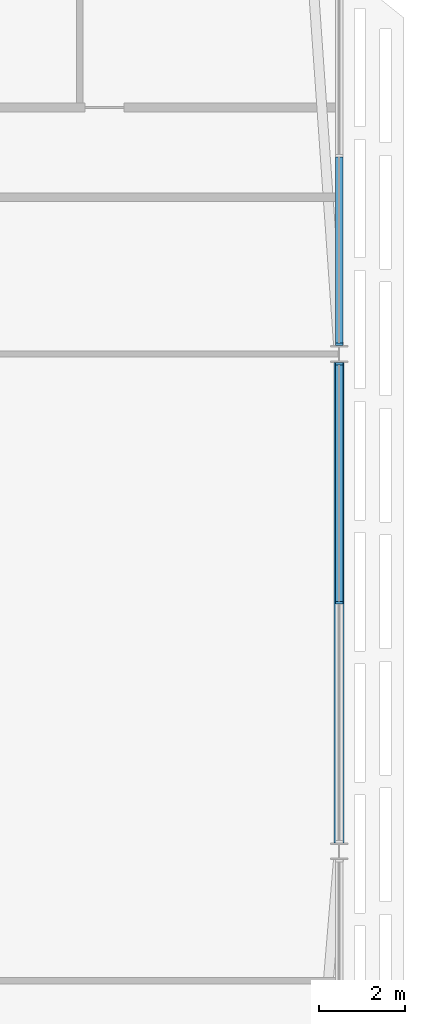
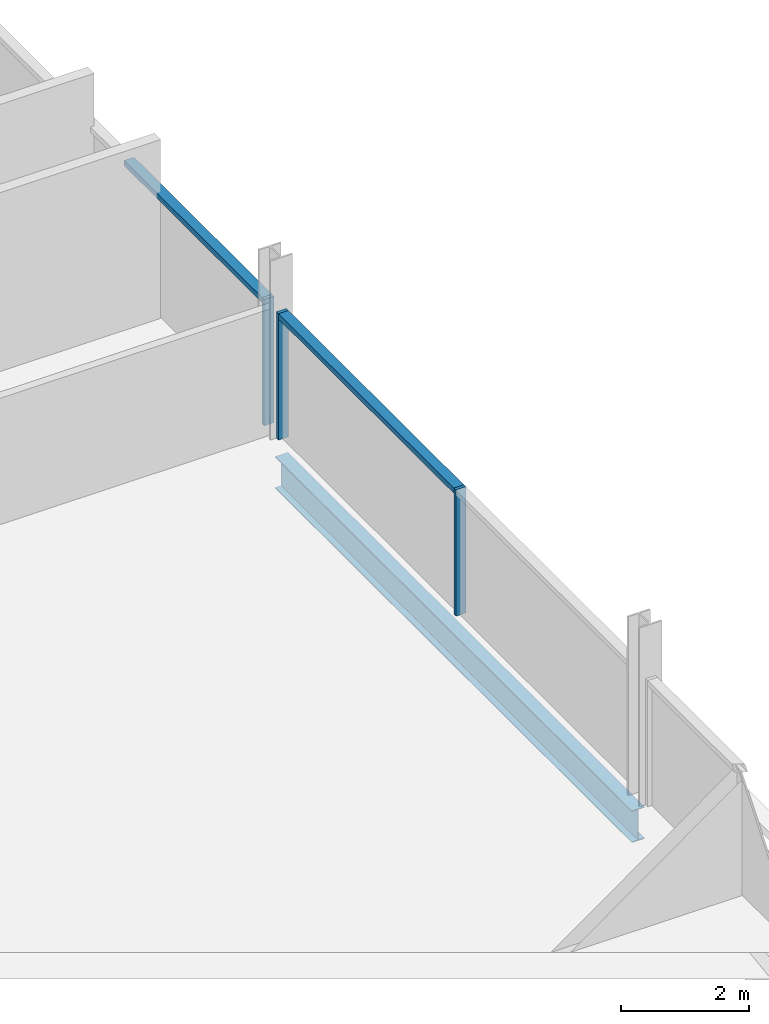
# One storey, part 13 of 33: 5 members, 1 beam, 2 elements without a shape of their own.
"""IFC4 building model written with IfcOpenShell, lengths in metres."""

from ifc_helpers import new_model, si_unit, direction, frame, origin, origin_2d, place, context, subcontext, project, spatial, rectangle, i_section, extrude, material, material_profile, profile_set, type_object, element, aggregate, save


model = new_model("IFC4")

# Units and contexts
model_context = context("Model", 3, precision=1e-05, world=origin(), true_north=direction((0.0, 1.0)))
body_context = subcontext(model_context, "Body", "Model", "MODEL_VIEW")
ifc_project = project(units=[si_unit("LENGTHUNIT", "METRE"), si_unit("AREAUNIT", "SQUARE_METRE"), si_unit("VOLUMEUNIT", "CUBIC_METRE"), si_unit("PLANEANGLEUNIT", "RADIAN"), si_unit("MASSUNIT", "GRAM", prefix="KILO")], contexts=[model_context])

# Site, building, storey
site_placement = place(None, origin())
site = spatial("IfcSite", under=ifc_project, at=site_placement, CompositionType="ELEMENT")
building_placement = place(site_placement, origin())
building = spatial("IfcBuilding", under=site, at=building_placement, Name="Mahtab Terrace Research Tower", CompositionType="ELEMENT")
storey_placement = place(building_placement, frame((0.0, 0.0, 255.199951171875)))
storey = spatial("IfcBuildingStorey", under=building, at=storey_placement, Name="L62", CompositionType="ELEMENT", Elevation=255.199951171875)

# Curtain wall, members
ifc_material_1 = material(Name="Office ribbon curtain wall")
curtain_wall_type = type_object("IfcCurtainWallType", Name="Office ribbon curtain wall", PredefinedType="NOTDEFINED", material=ifc_material_1)
curtain_wall_1_placement = place(storey_placement, origin())
curtain_wall_1 = element("IfcCurtainWall", 1, at=curtain_wall_1_placement, inside=storey, type_object=curtain_wall_type, Name="EN.L62.18.39", PredefinedType="NOTDEFINED")
ifc_material_2 = material(Name="Natural anodised aluminium", Category="aluminium")
ifc_material_profile_1 = material_profile(ifc_material_2, rectangle(XDim=0.179931640625, YDim=0.06005859375, at=origin_2d()), Name="MULLION 60x180")
ifc_profile_set_1 = profile_set([ifc_material_profile_1], Name="Natural anodised aluminium")
member_type_1 = type_object("IfcMemberType", Name="Office ribbon curtain wall mullion", PredefinedType="MULLION", material=ifc_profile_set_1)
member_1_placement = place(storey_placement, frame((54.0, 5.75, 0.0), z_axis=(0.0, 0.0, 1.0), x_axis=(-1.0, 0.0, 0.0)))
member_1 = element("IfcMember", 2, at=member_1_placement, type_object=member_type_1, Name="CWO-7 mullion 2", PredefinedType="MULLION", context=body_context, shape_type="SweptSolid", body=[
    extrude(rectangle(XDim=0.179931640625, YDim=0.06005859375, at=origin_2d()), origin(), (0.0, 0.0, 1.0), 2.4013671875),
])
member_2_placement = place(storey_placement, frame((54.0, 11.277099609375, 0.0), z_axis=(0.0, 0.0, 1.0), x_axis=(-1.0, 0.0, 0.0)))
member_2 = element("IfcMember", 3, at=member_2_placement, type_object=member_type_1, Name="CWO-7 mullion 3", PredefinedType="MULLION", context=body_context, shape_type="SweptSolid", body=[
    extrude(rectangle(XDim=0.179931640625, YDim=0.06005859375, at=origin_2d()), origin(), (0.0, 0.0, 1.0), 2.4013671875),
])

# Curtain wall, member
curtain_wall_2_placement = place(storey_placement, origin())
curtain_wall_2 = element("IfcCurtainWall", 4, at=curtain_wall_2_placement, inside=storey, type_object=curtain_wall_type, Name="EN.L62.18.40", PredefinedType="NOTDEFINED")
member_3_placement = place(storey_placement, frame((54.0, 11.722900390625, 0.0), z_axis=(0.0, 0.0, 1.0), x_axis=(-1.0, 0.0, 0.0)))
member_3 = element("IfcMember", 5, at=member_3_placement, type_object=member_type_1, Name="CWO-7 mullion 1", PredefinedType="MULLION", context=body_context, shape_type="SweptSolid", body=[
    extrude(rectangle(XDim=0.179931640625, YDim=0.06005859375, at=origin_2d()), origin(), (0.0, 0.0, 1.0), 2.4013671875),
])

# Member
ifc_material_profile_2 = material_profile(ifc_material_2, rectangle(XDim=0.179931640625, YDim=0.10009765625, at=origin_2d()), Name="TRANSOM 100x180")
ifc_profile_set_2 = profile_set([ifc_material_profile_2], Name="Natural anodised aluminium")
member_type_2 = type_object("IfcMemberType", Name="Office ribbon curtain wall transom", PredefinedType="USERDEFINED", material=ifc_profile_set_2)
member_4_placement = place(storey_placement, frame((54.0, 5.780029296875, 2.351318359375), z_axis=(0.0, 1.0, 0.0), x_axis=(-1.0, 0.0, 0.0)))
member_4 = element("IfcMember", 6, at=member_4_placement, type_object=member_type_2, Name="CWO-7 transom 2", ObjectType="TRANSOM", PredefinedType="USERDEFINED", context=body_context, shape_type="SweptSolid", body=[
    extrude(rectangle(XDim=0.179931640625, YDim=0.10009765625, at=origin_2d()), origin(), (0.0, 0.0, 1.0), 5.467041015625),
])

aggregate(curtain_wall_1, [member_1, member_2, member_4])

member_5_placement = place(storey_placement, frame((54.0, 11.7529296875, 2.351318359375), z_axis=(0.0, 1.0, 0.0), x_axis=(-1.0, 0.0, 0.0)))
member_5 = element("IfcMember", 7, at=member_5_placement, type_object=member_type_2, Name="CWO-7 transom 1", ObjectType="TRANSOM", PredefinedType="USERDEFINED", context=body_context, shape_type="SweptSolid", body=[
    extrude(rectangle(XDim=0.179931640625, YDim=0.10009765625, at=origin_2d()), origin(), (0.0, 0.0, 1.0), 4.300048828125),
])

aggregate(curtain_wall_2, [member_3, member_5])

# Beam
ifc_material_3 = material(Name="Steel ASTM A992 Gr 50", Category="steel")
ifc_material_profile_3 = material_profile(ifc_material_3, i_section(OverallWidth=0.228271484375, OverallDepth=0.607177734375, WebThickness=0.01123046875, FlangeThickness=0.017333984375, at=origin_2d()), Name="W24X76")
ifc_profile_set_3 = profile_set([ifc_material_profile_3], Name="Steel ASTM A992 Gr 50")
beam_type = type_object("IfcBeamType", Name="W24x76 beam BS2476", PredefinedType="BEAM", material=ifc_profile_set_3)
beam_placement = place(storey_placement, frame((54.0, 0.193115234375, -0.6435546875), z_axis=(0.0, 1.0, 0.0), x_axis=(-1.0, 0.0, 0.0)))
element("IfcBeam", 8, at=beam_placement, inside=storey, type_object=beam_type, Name="Spandrel beam L62 21", PredefinedType="BEAM", context=body_context, shape_type="SweptSolid", body=[
    extrude(i_section(OverallWidth=0.228271484375, OverallDepth=0.607177734375, WebThickness=0.01123046875, FlangeThickness=0.017333984375, at=origin_2d()), origin(), (0.0, 0.0, 1.0), 11.11376953125),
])

save(model, "model.ifc")
